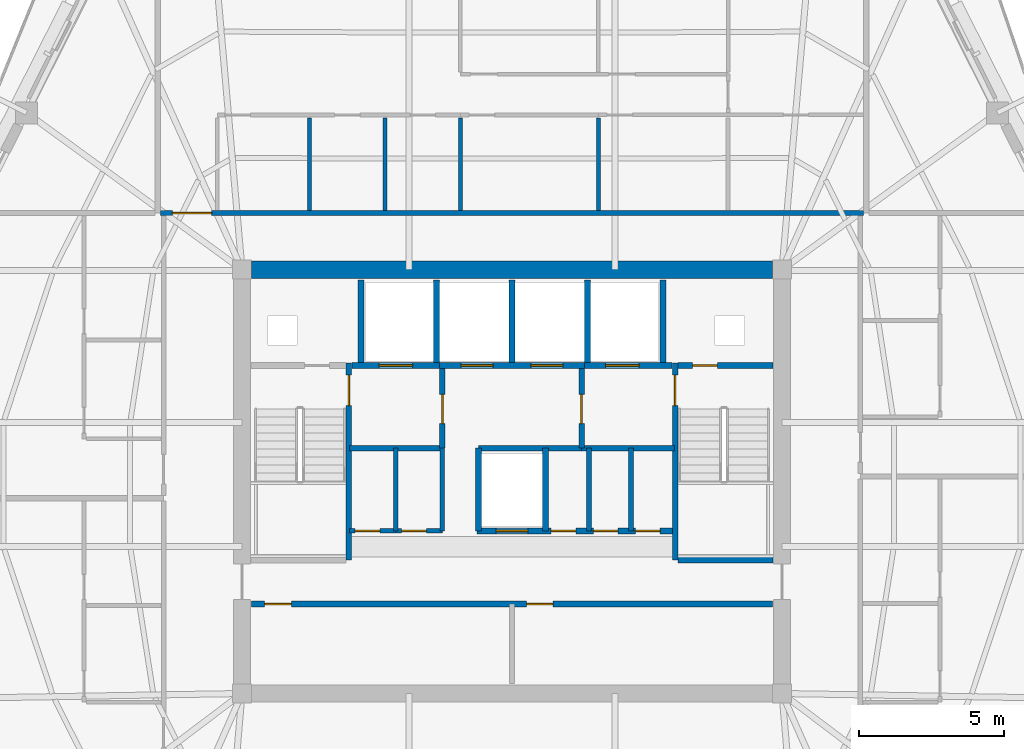
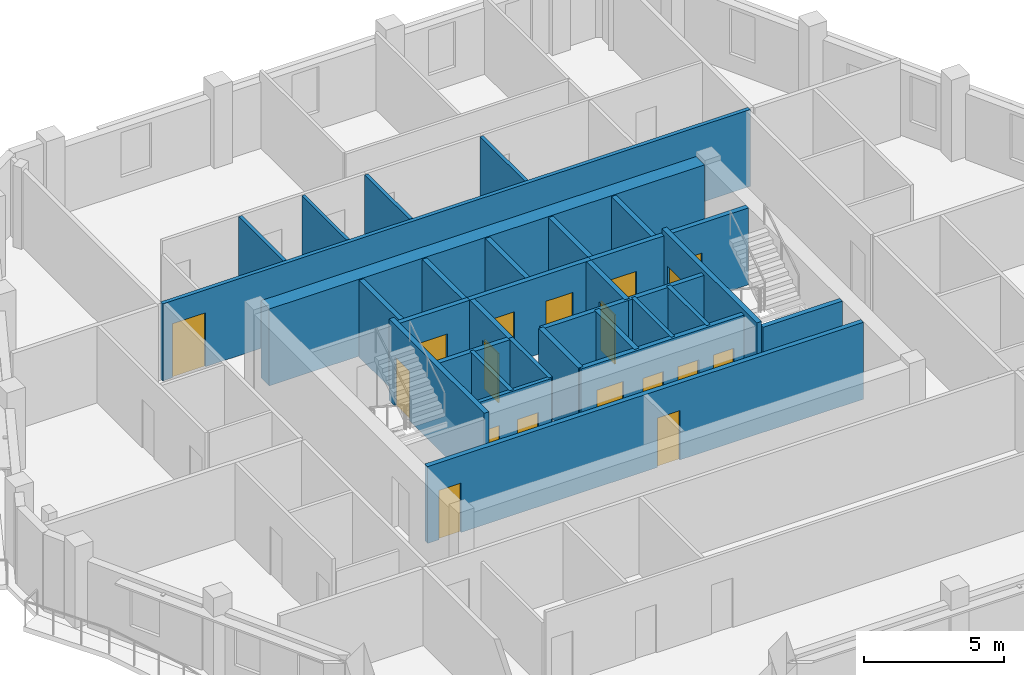
# One storey, part 5 of 11: 32 walls, 18 doors, 18 openings.
"""IFC4 building model written with IfcOpenShell, lengths in metres."""

import ifcopenshell
import ifcopenshell.guid

model = None  # the IFC model being written
_history = None  # IfcOwnerHistory: only IFC2X3 demands one
_inside = {}  # id of a spatial element -> (the spatial element, [elements in it])
_under = {}  # id of a project, library or spatial element -> (it, [spatial elements below it])
_declared = {}  # id of a project -> (the project, [libraries it declares])
_typed = {}  # id of a type object -> (the type object, [elements of that type])
_made_of = {}  # id of a material, layer set ... -> (it, [elements and type objects made of it])


def new_model(schema):
    """Start an empty IFC model of exactly this schema.

    Asked for "IFC4X3", IfcOpenShell would pick the latest addendum, in which some entities
    have other attributes; the version numbers below select the first issue.
    IFC2X3 requires an IfcOwnerHistory on every rooted entity: one is made here for all.
    """
    global model, _history
    if schema == "IFC4X3":
        model = ifcopenshell.file(schema_version=(4, 3, 0, 0))
    else:
        model = ifcopenshell.file(schema=schema)
    _inside.clear()
    _under.clear()
    _declared.clear()
    _typed.clear()
    _made_of.clear()
    _history = None
    if model.schema == "IFC2X3":
        org = make("IfcOrganization", Name="unknown")
        user = make(
            "IfcPersonAndOrganization",
            ThePerson=make("IfcPerson", FamilyName="unknown"),
            TheOrganization=org,
        )
        app = make(
            "IfcApplication",
            ApplicationDeveloper=org,
            Version="unknown",
            ApplicationFullName="unknown",
            ApplicationIdentifier="unknown",
        )
        _history = make(
            "IfcOwnerHistory",
            OwningUser=user,
            OwningApplication=app,
            ChangeAction="ADDED",
            CreationDate=0,
        )
    return model


def make(cls, **values):
    """One entity of the class cls with the attributes given. An attribute that is None is left unset."""
    return model.create_entity(
        cls, **{name: value for name, value in values.items() if value is not None}
    )


def rooted(cls, **values):
    """An entity with a GlobalId (a new one), such as an element, a storey or a relation."""
    return make(cls, GlobalId=ifcopenshell.guid.new(), OwnerHistory=_history, **values)


def si_unit(unit_type, name, prefix=None):
    """IfcSIUnit, for example si_unit("LENGTHUNIT", "METRE", prefix="MILLI")."""
    return make("IfcSIUnit", UnitType=unit_type, Prefix=prefix, Name=name)


def assignment(units):
    """IfcUnitAssignment: the units of a project."""
    return None if units is None else make("IfcUnitAssignment", Units=units)


def point(xyz):
    """IfcCartesianPoint."""
    return None if xyz is None else make("IfcCartesianPoint", Coordinates=xyz)


def direction(xyz):
    """IfcDirection."""
    return None if xyz is None else make("IfcDirection", DirectionRatios=xyz)


def frame(location, z_axis=None, x_axis=None):
    """IfcAxis2Placement3D, a coordinate frame: its origin and axes. An axis left out is left unset."""
    return make(
        "IfcAxis2Placement3D",
        Location=point(location),
        Axis=direction(z_axis),
        RefDirection=direction(x_axis),
    )


def frame_2d(location, x_axis=None):
    """IfcAxis2Placement2D, a coordinate frame in the plane: its origin and x axis."""
    return make(
        "IfcAxis2Placement2D", Location=point(location), RefDirection=direction(x_axis)
    )


def origin():
    """The frame at (0, 0, 0) with its axes left unset."""
    return frame((0.0, 0.0, 0.0))


def place(relative_to, where):
    """IfcLocalPlacement: puts the frame where relative to a parent placement (None: the world)."""
    return make(
        "IfcLocalPlacement", PlacementRelTo=relative_to, RelativePlacement=where
    )


def context(
    kind, dimensions, precision=None, world=None, true_north=None, identifier=None
):
    """IfcGeometricRepresentationContext, for example the 3D "Model" context."""
    return make(
        "IfcGeometricRepresentationContext",
        ContextIdentifier=identifier,
        ContextType=kind,
        CoordinateSpaceDimension=dimensions,
        Precision=precision,
        WorldCoordinateSystem=world,
        TrueNorth=true_north,
    )


def subcontext(parent, identifier, kind, view, scale=None):
    """IfcGeometricRepresentationSubContext, for example "Body" below "Model"."""
    return make(
        "IfcGeometricRepresentationSubContext",
        ContextIdentifier=identifier,
        ContextType=kind,
        ParentContext=parent,
        TargetScale=scale,
        TargetView=view,
    )


def project(units=None, contexts=None):
    """IfcProject with its units and contexts."""
    return rooted(
        "IfcProject",
        Name="project",
        RepresentationContexts=contexts,
        UnitsInContext=assignment(units),
    )


def spatial(cls, under=None, at=None, **own):
    """A site, building, storey or space (cls), placed at a placement, below another one or the project."""
    s = rooted(cls, ObjectPlacement=at, **own)
    if under is not None:
        _under.setdefault(under.id(), (under, []))[1].append(s)
    return s


def profile(cls, at=None, kind="AREA", **sizes):
    """A parametric profile (cls). Its sizes go by their IFC names, for example OverallWidth=200.0."""
    return make(cls, ProfileType=kind, Position=at, **sizes)


def rectangle(**sizes):
    """IfcRectangleProfileDef."""
    return profile("IfcRectangleProfileDef", **sizes)


def extrude(swept, where, along, depth):
    """IfcExtrudedAreaSolid: the profile swept, set in the frame where, extruded along a direction by depth."""
    return make(
        "IfcExtrudedAreaSolid",
        SweptArea=swept,
        Position=where,
        ExtrudedDirection=direction(along),
        Depth=depth,
    )


def shape(context_of_items, identifier, shape_type, items):
    """IfcShapeRepresentation: the items that make up one representation, for example the "Body"."""
    return make(
        "IfcShapeRepresentation",
        ContextOfItems=context_of_items,
        RepresentationIdentifier=identifier,
        RepresentationType=shape_type,
        Items=items,
    )


def material(Name=None, Category=None):
    """IfcMaterial."""
    return make("IfcMaterial", Name=Name, Category=Category)


def layer(
    of_material, thickness, ventilated=None, Name=None, Category=None, Priority=None
):
    """IfcMaterialLayer: one layer of a wall or slab, of a material (None: an air gap)."""
    return make(
        "IfcMaterialLayer",
        Material=of_material,
        LayerThickness=thickness,
        IsVentilated=ventilated,
        Name=Name,
        Category=Category,
        Priority=Priority,
    )


def layer_set(layers, Name=None):
    """IfcMaterialLayerSet."""
    return make("IfcMaterialLayerSet", MaterialLayers=layers, LayerSetName=Name)


def made_of(thing, what):
    """Note that an element or type object is made of a material, layer set ...; save() writes the relation."""
    if what is not None:
        _made_of.setdefault(what.id(), (what, []))[1].append(thing)
    return thing


def type_object(cls, material=None, **own):
    """A type object (cls), such as IfcWallType, which elements share."""
    return made_of(rooted(cls, **own), material)


def element(
    cls,
    number,
    at=None,
    inside=None,
    cuts=None,
    type_object=None,
    material=None,
    context=None,
    identifier="Body",
    shape_type=None,
    held_by="IfcProductDefinitionShape",
    body=None,
    shapes=None,
    **own,
):
    """One element of the class cls, such as IfcWall. Its Tag is "e" and its number.

    at: its placement. inside: the storey or other place that contains it. cuts: it is an
    opening in that element (IfcRelVoidsElement). A single representation is given by context,
    identifier, shape_type and body (its items); several are given by shapes. held_by: the class
    of the entity that holds the representations. save() writes the other relations.
    """
    e = rooted(cls, Tag="e%d" % number, ObjectPlacement=at, **own)
    if body is not None:
        shapes = [shape(context, identifier, shape_type, body)]
    if shapes is not None:
        e.Representation = make(held_by, Representations=shapes)
    if inside is not None:
        _inside.setdefault(inside.id(), (inside, []))[1].append(e)
    if cuts is not None:
        rooted(
            "IfcRelVoidsElement", RelatingBuildingElement=cuts, RelatedOpeningElement=e
        )
    if type_object is not None:
        _typed.setdefault(type_object.id(), (type_object, []))[1].append(e)
    return made_of(e, material)


def fill(opening, filler):
    """IfcRelFillsElement: the door or window that sits in an opening."""
    return rooted(
        "IfcRelFillsElement",
        RelatingOpeningElement=opening,
        RelatedBuildingElement=filler,
    )


def aggregate(whole, parts):
    """IfcRelAggregates: a whole, such as a stair, and the parts it consists of."""
    return rooted("IfcRelAggregates", RelatingObject=whole, RelatedObjects=parts)


def save(model, path):
    """Write the relations noted so far, then the file.

    IfcRelAggregates (storeys below a building ...), IfcRelContainedInSpatialStructure (elements
    in a storey), IfcRelDefinesByType, IfcRelAssociatesMaterial and IfcRelDeclares: one each for
    every whole, place, type object, material and project.
    """
    for whole, parts in _under.values():
        aggregate(whole, parts)
    for where, things in _inside.values():
        rooted(
            "IfcRelContainedInSpatialStructure",
            RelatedElements=things,
            RelatingStructure=where,
        )
    for kind, things in _typed.values():
        rooted("IfcRelDefinesByType", RelatedObjects=things, RelatingType=kind)
    for what, things in _made_of.values():
        rooted("IfcRelAssociatesMaterial", RelatedObjects=things, RelatingMaterial=what)
    for by, libraries in _declared.values():
        rooted("IfcRelDeclares", RelatingContext=by, RelatedDefinitions=libraries)
    model.write(path)


model = new_model("IFC4")

# Units and contexts
model_context = context("Model", 3, precision=1e-05, world=origin(), true_north=direction((0.0, 1.0)))
body_context = subcontext(model_context, "Body", "Model", "MODEL_VIEW")
ifc_project = project(units=[si_unit("LENGTHUNIT", "METRE"), si_unit("AREAUNIT", "SQUARE_METRE"), si_unit("VOLUMEUNIT", "CUBIC_METRE"), si_unit("PLANEANGLEUNIT", "RADIAN"), si_unit("MASSUNIT", "GRAM", prefix="KILO")], contexts=[model_context])

# Site, building, storey
site_placement = place(None, origin())
site = spatial("IfcSite", under=ifc_project, at=site_placement, CompositionType="ELEMENT")
building_placement = place(site_placement, origin())
building = spatial("IfcBuilding", under=site, at=building_placement, Name="Cinnabar Lancet Tower", CompositionType="ELEMENT")
storey_placement = place(building_placement, frame((0.0, 0.0, 214.5)))
storey = spatial("IfcBuildingStorey", under=building, at=storey_placement, Name="L57", CompositionType="ELEMENT", Elevation=214.5)

# Wall, openings, doors
ifc_material_1 = material(Name="Acoustic twin-stud gypsum partition", Category="gypsum")
ifc_layer_1 = layer(ifc_material_1, 0.159912109375)
ifc_layer_set_1 = layer_set([ifc_layer_1], Name="Acoustic twin-stud gypsum partition")
wall_type_1 = type_object("IfcWallType", Name="ARC-WL-CORR-160", PredefinedType="PARTITIONING", material=ifc_layer_set_1)
wall_1_placement = place(storey_placement, frame((26.800048828125, 24.199951171875, 0.0), z_axis=(0.0, 0.0, 1.0), x_axis=(1.0, 0.0, 0.0)))
wall_1 = element("IfcWall", 1, at=wall_1_placement, inside=storey, type_object=wall_type_1, Name="CW-REC5S-L57", PredefinedType="PARTITIONING", context=body_context, shape_type="SweptSolid", body=[
    extrude(rectangle(XDim=3.199951171875, YDim=0.159912109375, at=frame_2d((1.60009765625, 0.0))), origin(), (0.0, 0.0, 1.0), 3.35009765625),
])
opening_1_placement = place(wall_1_placement, frame((0.199951171875, 0.0, 0.0)))
opening_1 = element("IfcOpeningElement", 2, at=opening_1_placement, cuts=wall_1, Name="Opening PD-02", PredefinedType="OPENING", context=body_context, shape_type="SweptSolid", body=[
    extrude(rectangle(XDim=0.85009765625, YDim=2.050048828125, at=frame_2d((0.425048828125, 1.02490234375))), frame((0.0, 0.08984375, 0.0), z_axis=(0.0, -1.0, 0.0), x_axis=(1.0, 0.0, 0.0)), (0.0, 0.0, 1.0), 0.179931640625),
])
opening_2_placement = place(wall_1_placement, frame((1.800048828125, 0.0, 0.0)))
opening_2 = element("IfcOpeningElement", 3, at=opening_2_placement, cuts=wall_1, Name="Opening PD-02", PredefinedType="OPENING", context=body_context, shape_type="SweptSolid", body=[
    extrude(rectangle(XDim=0.85009765625, YDim=2.050048828125, at=frame_2d((0.425048828125, 1.02490234375))), frame((0.0, 0.08984375, 0.0), z_axis=(0.0, -1.0, 0.0), x_axis=(1.0, 0.0, 0.0)), (0.0, 0.0, 1.0), 0.179931640625),
])
ifc_material_2 = material(Name="Fire-rated steel riser access door", Category="steel")
door_type_1 = type_object("IfcDoorType", Name="ARC-DR-RISER", OperationType="NOTDEFINED", PredefinedType="DOOR", material=ifc_material_2)
door_1_placement = place(opening_1_placement, origin())
door_1 = element("IfcDoor", 4, at=door_1_placement, inside=storey, type_object=door_type_1, Name="DR-L57-REC5A", OperationType="SINGLE_SWING_LEFT", OverallHeight=2.050048828125, OverallWidth=0.85009765625, PredefinedType="DOOR", context=body_context, shape_type="SweptSolid", body=[
    extrude(rectangle(XDim=0.85009765625, YDim=2.050048828125, at=frame_2d((0.425048828125, 1.02490234375))), frame((0.0, 0.02490234375, 0.0), z_axis=(0.0, -1.0, 0.0), x_axis=(1.0, 0.0, 0.0)), (0.0, 0.0, 1.0), 0.050048828125),
])
fill(opening_1, door_1)
door_2_placement = place(opening_2_placement, origin())
door_2 = element("IfcDoor", 5, at=door_2_placement, inside=storey, type_object=door_type_1, Name="DR-L57-REC5B", OperationType="SINGLE_SWING_RIGHT", OverallHeight=2.050048828125, OverallWidth=0.85009765625, PredefinedType="DOOR", context=body_context, shape_type="SweptSolid", body=[
    extrude(rectangle(XDim=0.85009765625, YDim=2.050048828125, at=frame_2d((0.425048828125, 1.02490234375))), frame((0.0, 0.02490234375, 0.0), z_axis=(0.0, -1.0, 0.0), x_axis=(1.0, 0.0, 0.0)), (0.0, 0.0, 1.0), 0.050048828125),
])
fill(opening_2, door_2)

# Walls
for number, where, z_axis, x_axis, name in (
    (6, (30.0, 24.199951171875, 0.0), (0.0, 0.0, 1.0), (0.0, 1.0, 0.0), "CW-REC5E-L57"),
    (7, (28.39990234375, 24.199951171875, 0.0), (0.0, 0.0, 1.0), (0.0, 1.0, 0.0), "CW-REC5D0-L57"),
    (8, (35.050048828125, 24.199951171875, 0.0), (0.0, 0.0, 1.0), (0.0, 1.0, 0.0), "CW-REC6D1-L57"),
    (9, (36.5, 24.199951171875, 0.0), (0.0, 0.0, 1.0), (0.0, 1.0, 0.0), "CW-REC6D2-L57"),
):
    element("IfcWall", number, at=place(storey_placement, frame(where, z_axis=z_axis, x_axis=x_axis)), inside=storey, type_object=wall_type_1, Name=name, PredefinedType="PARTITIONING", context=body_context, shape_type="SweptSolid", body=[
        extrude(rectangle(XDim=2.85009765625, YDim=0.159912109375, at=frame_2d((1.425048828125, 0.0))), origin(), (0.0, 0.0, 1.0), 3.35009765625),
    ])

# Wall, opening, door
wall_2_placement = place(storey_placement, frame((20.294921875, 35.14990234375, 0.0), z_axis=(0.0, 0.0, 1.0), x_axis=(1.0, 0.0, 0.0)))
wall_2 = element("IfcWall", 10, at=wall_2_placement, inside=storey, type_object=wall_type_1, Name="L57 Unit N01 Corridor Wall", PredefinedType="PARTITIONING", context=body_context, shape_type="SweptSolid", body=[
    extrude(rectangle(XDim=24.2099609375, YDim=0.159912109375, at=frame_2d((12.10498046875, 0.0))), origin(), (0.0, 0.0, 1.0), 3.35009765625),
])
opening_3_placement = place(wall_2_placement, frame((0.405029296875, 0.0, 0.0)))
opening_3 = element("IfcOpeningElement", 11, at=opening_3_placement, cuts=wall_2, Name="Opening UD-02", PredefinedType="OPENING", context=body_context, shape_type="SweptSolid", body=[
    extrude(rectangle(XDim=1.35009765625, YDim=2.35009765625, at=frame_2d((0.675048828125, 1.175048828125))), frame((0.0, 0.08984375, 0.0), z_axis=(0.0, -1.0, 0.0), x_axis=(1.0, 0.0, 0.0)), (0.0, 0.0, 1.0), 0.179931640625),
])
ifc_material_3 = material(Name="Double-leaf solid timber penthouse entrance door", Category="wood")
door_type_2 = type_object("IfcDoorType", Name="ARC-DR-UNIT-PH", OperationType="NOTDEFINED", PredefinedType="DOOR", material=ifc_material_3)
door_3_placement = place(opening_3_placement, origin())
door_3 = element("IfcDoor", 12, at=door_3_placement, inside=storey, type_object=door_type_2, Name="DR-L57-N01-ENT", OperationType="SINGLE_SWING_RIGHT", OverallHeight=2.35009765625, OverallWidth=1.35009765625, PredefinedType="DOOR", context=body_context, shape_type="SweptSolid", body=[
    extrude(rectangle(XDim=1.35009765625, YDim=2.35009765625, at=frame_2d((0.675048828125, 1.175048828125))), frame((0.0, 0.02490234375, 0.0), z_axis=(0.0, -1.0, 0.0), x_axis=(1.0, 0.0, 0.0)), (0.0, 0.0, 1.0), 0.050048828125),
])
fill(opening_3, door_3)

# Wall
ifc_material_4 = material(Name="Autoclaved aerated concrete blockwork", Category="masonry")
ifc_layer_2 = layer(ifc_material_4, 0.199951171875)
ifc_layer_set_2 = layer_set([ifc_layer_2], Name="Autoclaved aerated concrete blockwork")
wall_type_2 = type_object("IfcWallType", Name="ARC-WL-SHAFT-200", PredefinedType="PLUMBINGWALL", material=ifc_layer_set_2)
wall_3_placement = place(storey_placement, frame((38.125, 23.199951171875, 0.0), z_axis=(0.0, 0.0, 1.0), x_axis=(1.0, 0.0, 0.0)))
element("IfcWall", 13, at=wall_3_placement, inside=storey, type_object=wall_type_2, Name="CW-ST2S-L57", PredefinedType="PLUMBINGWALL", context=body_context, shape_type="SweptSolid", body=[
    extrude(rectangle(XDim=3.27001953125, YDim=0.199951171875, at=frame_2d((1.635009765625, 0.0))), origin(), (0.0, 0.0, 1.0), 3.35009765625),
])

# Wall, opening, door
wall_4_placement = place(storey_placement, frame((26.885009765625, 29.89990234375, 0.0), z_axis=(0.0, 0.0, 1.0), x_axis=(1.0, 0.0, 0.0)))
wall_4 = element("IfcWall", 14, at=wall_4_placement, inside=storey, type_object=wall_type_2, Name="CW-FL1-L57", PredefinedType="PLUMBINGWALL", context=body_context, shape_type="SweptSolid", body=[
    extrude(rectangle(XDim=3.014892578125, YDim=0.199951171875, at=frame_2d((1.50732421875, 0.0))), origin(), (0.0, 0.0, 1.0), 3.35009765625),
])
opening_4_placement = place(wall_4_placement, frame((0.93994140625, 0.0, 0.0)))
opening_4 = element("IfcOpeningElement", 15, at=opening_4_placement, cuts=wall_4, Name="Opening LD-02", PredefinedType="OPENING", context=body_context, shape_type="SweptSolid", body=[
    extrude(rectangle(XDim=1.14990234375, YDim=2.199951171875, at=frame_2d((0.574951171875, 1.10009765625))), frame((0.0, 0.10986328125, 0.0), z_axis=(0.0, -1.0, 0.0), x_axis=(1.0, 0.0, 0.0)), (0.0, 0.0, 1.0), 0.219970703125),
])
ifc_material_5 = material(Name="Fire-rated stainless steel firefighting lift landing door", Category="steel")
door_type_3 = type_object("IfcDoorType", Name="ARC-DR-LD-FIRE", OperationType="NOTDEFINED", PredefinedType="DOOR", material=ifc_material_5)
door_4_placement = place(opening_4_placement, origin())
door_4 = element("IfcDoor", 16, at=door_4_placement, inside=storey, type_object=door_type_3, Name="L57 Firefighting Lift FL-1 Landing Door", OperationType="DOUBLE_DOOR_SLIDING", OverallHeight=2.199951171875, OverallWidth=1.14990234375, PredefinedType="DOOR", context=body_context, shape_type="SweptSolid", body=[
    extrude(rectangle(XDim=1.14990234375, YDim=2.199951171875, at=frame_2d((0.574951171875, 1.10009765625))), frame((0.0, 0.02490234375, 0.0), z_axis=(0.0, -1.0, 0.0), x_axis=(1.0, 0.0, 0.0)), (0.0, 0.0, 1.0), 0.050048828125),
])
fill(opening_4, door_4)

# Wall, openings, doors
wall_5_placement = place(storey_placement, frame((29.89990234375, 29.89990234375, 0.0), z_axis=(0.0, 0.0, 1.0), x_axis=(1.0, 0.0, 0.0)))
wall_5 = element("IfcWall", 17, at=wall_5_placement, inside=storey, type_object=wall_type_2, Name="CW-PL78-L57", PredefinedType="PLUMBINGWALL", context=body_context, shape_type="SweptSolid", body=[
    extrude(rectangle(XDim=5.0, YDim=0.199951171875, at=frame_2d((2.5, 0.0))), origin(), (0.0, 0.0, 1.0), 3.35009765625),
])
opening_5_placement = place(wall_5_placement, frame((0.75, 0.0, 0.0)))
opening_5 = element("IfcOpeningElement", 18, at=opening_5_placement, cuts=wall_5, Name="Opening LD-01", PredefinedType="OPENING", context=body_context, shape_type="SweptSolid", body=[
    extrude(rectangle(XDim=1.10009765625, YDim=2.199951171875, at=frame_2d((0.550048828125, 1.10009765625))), frame((0.0, 0.10986328125, 0.0), z_axis=(0.0, -1.0, 0.0), x_axis=(1.0, 0.0, 0.0)), (0.0, 0.0, 1.0), 0.219970703125),
])
opening_6_placement = place(wall_5_placement, frame((3.14990234375, 0.0, 0.0)))
opening_6 = element("IfcOpeningElement", 19, at=opening_6_placement, cuts=wall_5, Name="Opening LD-01", PredefinedType="OPENING", context=body_context, shape_type="SweptSolid", body=[
    extrude(rectangle(XDim=1.10009765625, YDim=2.199951171875, at=frame_2d((0.550048828125, 1.10009765625))), frame((0.0, 0.10986328125, 0.0), z_axis=(0.0, -1.0, 0.0), x_axis=(1.0, 0.0, 0.0)), (0.0, 0.0, 1.0), 0.219970703125),
])
ifc_material_6 = material(Name="Brushed stainless steel sliding lift door", Category="steel")
door_type_4 = type_object("IfcDoorType", Name="ARC-DR-LD-PASS", OperationType="NOTDEFINED", PredefinedType="DOOR", material=ifc_material_6)
door_5_placement = place(opening_5_placement, origin())
door_5 = element("IfcDoor", 20, at=door_5_placement, inside=storey, type_object=door_type_4, Name="L57 Lift PL-7 Landing Door", OperationType="DOUBLE_DOOR_SLIDING", OverallHeight=2.199951171875, OverallWidth=1.10009765625, PredefinedType="DOOR", context=body_context, shape_type="SweptSolid", body=[
    extrude(rectangle(XDim=1.10009765625, YDim=2.199951171875, at=frame_2d((0.550048828125, 1.10009765625))), frame((0.0, 0.02490234375, 0.0), z_axis=(0.0, -1.0, 0.0), x_axis=(1.0, 0.0, 0.0)), (0.0, 0.0, 1.0), 0.050048828125),
])
fill(opening_5, door_5)
door_6_placement = place(opening_6_placement, origin())
door_6 = element("IfcDoor", 21, at=door_6_placement, inside=storey, type_object=door_type_4, Name="L57 Lift PL-8 Landing Door", OperationType="DOUBLE_DOOR_SLIDING", OverallHeight=2.199951171875, OverallWidth=1.10009765625, PredefinedType="DOOR", context=body_context, shape_type="SweptSolid", body=[
    extrude(rectangle(XDim=1.10009765625, YDim=2.199951171875, at=frame_2d((0.550048828125, 1.10009765625))), frame((0.0, 0.02490234375, 0.0), z_axis=(0.0, -1.0, 0.0), x_axis=(1.0, 0.0, 0.0)), (0.0, 0.0, 1.0), 0.050048828125),
])
fill(opening_6, door_6)

# Wall, opening, door
wall_6_placement = place(storey_placement, frame((34.89990234375, 29.89990234375, 0.0), z_axis=(0.0, 0.0, 1.0), x_axis=(1.0, 0.0, 0.0)))
wall_6 = element("IfcWall", 22, at=wall_6_placement, inside=storey, type_object=wall_type_2, Name="CW-FL2-L57", PredefinedType="PLUMBINGWALL", context=body_context, shape_type="SweptSolid", body=[
    extrude(rectangle(XDim=3.01513671875, YDim=0.199951171875, at=frame_2d((1.507568359375, 0.0))), origin(), (0.0, 0.0, 1.0), 3.35009765625),
])
opening_7_placement = place(wall_6_placement, frame((0.72509765625, 0.0, 0.0)))
opening_7 = element("IfcOpeningElement", 23, at=opening_7_placement, cuts=wall_6, Name="Opening LD-02", PredefinedType="OPENING", context=body_context, shape_type="SweptSolid", body=[
    extrude(rectangle(XDim=1.14990234375, YDim=2.199951171875, at=frame_2d((0.574951171875, 1.10009765625))), frame((0.0, 0.10986328125, 0.0), z_axis=(0.0, -1.0, 0.0), x_axis=(1.0, 0.0, 0.0)), (0.0, 0.0, 1.0), 0.219970703125),
])
door_7_placement = place(opening_7_placement, origin())
door_7 = element("IfcDoor", 24, at=door_7_placement, inside=storey, type_object=door_type_3, Name="L57 Firefighting Lift FL-2 Landing Door", OperationType="DOUBLE_DOOR_SLIDING", OverallHeight=2.199951171875, OverallWidth=1.14990234375, PredefinedType="DOOR", context=body_context, shape_type="SweptSolid", body=[
    extrude(rectangle(XDim=1.14990234375, YDim=2.199951171875, at=frame_2d((0.574951171875, 1.10009765625))), frame((0.0, 0.02490234375, 0.0), z_axis=(0.0, -1.0, 0.0), x_axis=(1.0, 0.0, 0.0)), (0.0, 0.0, 1.0), 0.050048828125),
])
fill(opening_7, door_7)

wall_7_placement = place(storey_placement, frame((38.125, 29.89990234375, 0.0), z_axis=(0.0, 0.0, 1.0), x_axis=(1.0, 0.0, 0.0)))
wall_7 = element("IfcWall", 25, at=wall_7_placement, inside=storey, type_object=wall_type_2, Name="CW-NSH-E-L57", PredefinedType="PLUMBINGWALL", context=body_context, shape_type="SweptSolid", body=[
    extrude(rectangle(XDim=3.27001953125, YDim=0.199951171875, at=frame_2d((1.635009765625, 0.0))), origin(), (0.0, 0.0, 1.0), 3.35009765625),
])
opening_8_placement = place(wall_7_placement, frame((0.5, 0.0, 0.0)))
opening_8 = element("IfcOpeningElement", 26, at=opening_8_placement, cuts=wall_7, Name="Opening PD-02", PredefinedType="OPENING", context=body_context, shape_type="SweptSolid", body=[
    extrude(rectangle(XDim=0.85009765625, YDim=2.050048828125, at=frame_2d((0.425048828125, 1.02490234375))), frame((0.0, 0.10986328125, 0.0), z_axis=(0.0, -1.0, 0.0), x_axis=(1.0, 0.0, 0.0)), (0.0, 0.0, 1.0), 0.219970703125),
])
door_8_placement = place(opening_8_placement, origin())
door_8 = element("IfcDoor", 27, at=door_8_placement, inside=storey, type_object=door_type_1, Name="L57 East Riser Access Door", OperationType="SINGLE_SWING_RIGHT", OverallHeight=2.050048828125, OverallWidth=0.85009765625, PredefinedType="DOOR", context=body_context, shape_type="SweptSolid", body=[
    extrude(rectangle(XDim=0.85009765625, YDim=2.050048828125, at=frame_2d((0.425048828125, 1.02490234375))), frame((0.0, 0.02490234375, 0.0), z_axis=(0.0, -1.0, 0.0), x_axis=(1.0, 0.0, 0.0)), (0.0, 0.0, 1.0), 0.050048828125),
])
fill(opening_8, door_8)

# Walls
for number, where, z_axis, x_axis, name in (
    (28, (27.199951171875, 30.0, 0.0), (0.0, 0.0, 1.0), (0.0, 1.0, 0.0), "CW-NSH-D1-L57"),
    (29, (29.800048828125, 30.0, 0.0), (0.0, 0.0, 1.0), (0.0, 1.0, 0.0), "CW-NSH-D2-L57"),
    (30, (32.39990234375, 30.0, 0.0), (0.0, 0.0, 1.0), (0.0, 1.0, 0.0), "CW-NSH-D3-L57"),
    (31, (35.0, 30.0, 0.0), (0.0, 0.0, 1.0), (0.0, 1.0, 0.0), "CW-NSH-D4-L57"),
    (32, (37.60009765625, 30.0, 0.0), (0.0, 0.0, 1.0), (0.0, 1.0, 0.0), "CW-NSH-D5-L57"),
):
    element("IfcWall", number, at=place(storey_placement, frame(where, z_axis=z_axis, x_axis=x_axis)), inside=storey, type_object=wall_type_2, Name=name, PredefinedType="PLUMBINGWALL", context=body_context, shape_type="SweptSolid", body=[
        extrude(rectangle(XDim=2.85009765625, YDim=0.199951171875, at=frame_2d((1.425048828125, 0.0))), origin(), (0.0, 0.0, 1.0), 3.35009765625),
    ])

# Wall, opening, door
wall_8_placement = place(storey_placement, frame((30.0, 27.050048828125, 0.0), z_axis=(0.0, 0.0, 1.0), x_axis=(0.0, 1.0, 0.0)))
wall_8 = element("IfcWall", 33, at=wall_8_placement, inside=storey, type_object=wall_type_2, Name="CW-FF1E-L57", PredefinedType="PLUMBINGWALL", context=body_context, shape_type="SweptSolid", body=[
    extrude(rectangle(XDim=2.75, YDim=0.199951171875, at=frame_2d((1.375, 0.0))), origin(), (0.0, 0.0, 1.0), 3.35009765625),
])
opening_9_placement = place(wall_8_placement, frame((0.85009765625, 0.0, 0.0)))
opening_9 = element("IfcOpeningElement", 34, at=opening_9_placement, cuts=wall_8, Name="Opening FD-01", PredefinedType="OPENING", context=body_context, shape_type="SweptSolid", body=[
    extrude(rectangle(XDim=1.0, YDim=2.14990234375, at=frame_2d((0.5, 1.074951171875))), frame((0.0, 0.10986328125, 0.0), z_axis=(0.0, -1.0, 0.0), x_axis=(1.0, 0.0, 0.0)), (0.0, 0.0, 1.0), 0.219970703125),
])
ifc_material_7 = material(Name="Fire-rated timber-core lobby door", Category="wood")
door_type_5 = type_object("IfcDoorType", Name="ARC-DR-FFAL", OperationType="NOTDEFINED", PredefinedType="DOOR", material=ifc_material_7)
door_9_placement = place(opening_9_placement, origin())
door_9 = element("IfcDoor", 35, at=door_9_placement, inside=storey, type_object=door_type_5, Name="L57 FFAL-1 Lobby Fire Door", OperationType="SINGLE_SWING_RIGHT", OverallHeight=2.14990234375, OverallWidth=1.0, PredefinedType="DOOR", context=body_context, shape_type="SweptSolid", body=[
    extrude(rectangle(XDim=1.0, YDim=2.14990234375, at=frame_2d((0.5, 1.074951171875))), frame((0.0, 0.02490234375, 0.0), z_axis=(0.0, -1.0, 0.0), x_axis=(1.0, 0.0, 0.0)), (0.0, 0.0, 1.0), 0.050048828125),
])
fill(opening_9, door_9)

# Wall
wall_9_placement = place(storey_placement, frame((26.800048828125, 27.050048828125, 0.0), z_axis=(0.0, 0.0, 1.0), x_axis=(1.0, 0.0, 0.0)))
element("IfcWall", 36, at=wall_9_placement, inside=storey, type_object=wall_type_2, Name="CW-FF1S-L57", PredefinedType="PLUMBINGWALL", context=body_context, shape_type="SweptSolid", body=[
    extrude(rectangle(XDim=3.199951171875, YDim=0.199951171875, at=frame_2d((1.60009765625, 0.0))), origin(), (0.0, 0.0, 1.0), 3.35009765625),
])

# Wall, opening, door
wall_10_placement = place(storey_placement, frame((34.800048828125, 27.050048828125, 0.0), z_axis=(0.0, 0.0, 1.0), x_axis=(0.0, 1.0, 0.0)))
wall_10 = element("IfcWall", 37, at=wall_10_placement, inside=storey, type_object=wall_type_2, Name="CW-FF2W-L57", PredefinedType="PLUMBINGWALL", context=body_context, shape_type="SweptSolid", body=[
    extrude(rectangle(XDim=2.75, YDim=0.199951171875, at=frame_2d((1.375, 0.0))), origin(), (0.0, 0.0, 1.0), 3.35009765625),
])
opening_10_placement = place(wall_10_placement, frame((0.85009765625, 0.0, 0.0)))
opening_10 = element("IfcOpeningElement", 38, at=opening_10_placement, cuts=wall_10, Name="Opening FD-01", PredefinedType="OPENING", context=body_context, shape_type="SweptSolid", body=[
    extrude(rectangle(XDim=1.0, YDim=2.14990234375, at=frame_2d((0.5, 1.074951171875))), frame((0.0, 0.10986328125, 0.0), z_axis=(0.0, -1.0, 0.0), x_axis=(1.0, 0.0, 0.0)), (0.0, 0.0, 1.0), 0.219970703125),
])
door_10_placement = place(opening_10_placement, origin())
door_10 = element("IfcDoor", 39, at=door_10_placement, inside=storey, type_object=door_type_5, Name="L57 FFAL-2 Lobby Fire Door", OperationType="SINGLE_SWING_LEFT", OverallHeight=2.14990234375, OverallWidth=1.0, PredefinedType="DOOR", context=body_context, shape_type="SweptSolid", body=[
    extrude(rectangle(XDim=1.0, YDim=2.14990234375, at=frame_2d((0.5, 1.074951171875))), frame((0.0, 0.02490234375, 0.0), z_axis=(0.0, -1.0, 0.0), x_axis=(1.0, 0.0, 0.0)), (0.0, 0.0, 1.0), 0.050048828125),
])
fill(opening_10, door_10)

# Wall
wall_11_placement = place(storey_placement, frame((34.800048828125, 27.050048828125, 0.0), z_axis=(0.0, 0.0, 1.0), x_axis=(1.0, 0.0, 0.0)))
element("IfcWall", 40, at=wall_11_placement, inside=storey, type_object=wall_type_2, Name="CW-FF2S-L57", PredefinedType="PLUMBINGWALL", context=body_context, shape_type="SweptSolid", body=[
    extrude(rectangle(XDim=3.199951171875, YDim=0.199951171875, at=frame_2d((1.60009765625, 0.0))), origin(), (0.0, 0.0, 1.0), 3.35009765625),
])

# Wall, openings, doors
wall_12_placement = place(storey_placement, frame((31.199951171875, 24.199951171875, 0.0), z_axis=(0.0, 0.0, 1.0), x_axis=(1.0, 0.0, 0.0)))
wall_12 = element("IfcWall", 41, at=wall_12_placement, inside=storey, type_object=wall_type_2, Name="CW-PL96S-L57", PredefinedType="PLUMBINGWALL", context=body_context, shape_type="SweptSolid", body=[
    extrude(rectangle(XDim=6.800048828125, YDim=0.199951171875, at=frame_2d((3.39990234375, 0.0))), origin(), (0.0, 0.0, 1.0), 3.35009765625),
])
opening_11_placement = place(wall_12_placement, frame((0.64990234375, 0.0, 0.0)))
opening_11 = element("IfcOpeningElement", 42, at=opening_11_placement, cuts=wall_12, Name="Opening LD-01", PredefinedType="OPENING", context=body_context, shape_type="SweptSolid", body=[
    extrude(rectangle(XDim=1.10009765625, YDim=2.199951171875, at=frame_2d((0.550048828125, 1.10009765625))), frame((0.0, 0.10986328125, 0.0), z_axis=(0.0, -1.0, 0.0), x_axis=(1.0, 0.0, 0.0)), (0.0, 0.0, 1.0), 0.219970703125),
])
opening_12_placement = place(wall_12_placement, frame((2.550048828125, 0.0, 0.0)))
opening_12 = element("IfcOpeningElement", 43, at=opening_12_placement, cuts=wall_12, Name="Opening PD-02", PredefinedType="OPENING", context=body_context, shape_type="SweptSolid", body=[
    extrude(rectangle(XDim=0.85009765625, YDim=2.050048828125, at=frame_2d((0.425048828125, 1.02490234375))), frame((0.0, 0.10986328125, 0.0), z_axis=(0.0, -1.0, 0.0), x_axis=(1.0, 0.0, 0.0)), (0.0, 0.0, 1.0), 0.219970703125),
])
opening_13_placement = place(wall_12_placement, frame((4.0, 0.0, 0.0)))
opening_13 = element("IfcOpeningElement", 44, at=opening_13_placement, cuts=wall_12, Name="Opening PD-02", PredefinedType="OPENING", context=body_context, shape_type="SweptSolid", body=[
    extrude(rectangle(XDim=0.85009765625, YDim=2.050048828125, at=frame_2d((0.425048828125, 1.02490234375))), frame((0.0, 0.10986328125, 0.0), z_axis=(0.0, -1.0, 0.0), x_axis=(1.0, 0.0, 0.0)), (0.0, 0.0, 1.0), 0.219970703125),
])
opening_14_placement = place(wall_12_placement, frame((5.449951171875, 0.0, 0.0)))
opening_14 = element("IfcOpeningElement", 45, at=opening_14_placement, cuts=wall_12, Name="Opening PD-02", PredefinedType="OPENING", context=body_context, shape_type="SweptSolid", body=[
    extrude(rectangle(XDim=0.85009765625, YDim=2.050048828125, at=frame_2d((0.425048828125, 1.02490234375))), frame((0.0, 0.10986328125, 0.0), z_axis=(0.0, -1.0, 0.0), x_axis=(1.0, 0.0, 0.0)), (0.0, 0.0, 1.0), 0.219970703125),
])
door_11_placement = place(opening_11_placement, origin())
door_11 = element("IfcDoor", 46, at=door_11_placement, inside=storey, type_object=door_type_4, Name="L57 Lift PL-9 Landing Door", OperationType="DOUBLE_DOOR_SLIDING", OverallHeight=2.199951171875, OverallWidth=1.10009765625, PredefinedType="DOOR", context=body_context, shape_type="SweptSolid", body=[
    extrude(rectangle(XDim=1.10009765625, YDim=2.199951171875, at=frame_2d((0.550048828125, 1.10009765625))), frame((0.0, 0.02490234375, 0.0), z_axis=(0.0, -1.0, 0.0), x_axis=(1.0, 0.0, 0.0)), (0.0, 0.0, 1.0), 0.050048828125),
])
fill(opening_11, door_11)
door_12_placement = place(opening_12_placement, origin())
door_12 = element("IfcDoor", 47, at=door_12_placement, inside=storey, type_object=door_type_1, Name="DR-L57-REC6A", OperationType="SINGLE_SWING_LEFT", OverallHeight=2.050048828125, OverallWidth=0.85009765625, PredefinedType="DOOR", context=body_context, shape_type="SweptSolid", body=[
    extrude(rectangle(XDim=0.85009765625, YDim=2.050048828125, at=frame_2d((0.425048828125, 1.02490234375))), frame((0.0, 0.02490234375, 0.0), z_axis=(0.0, -1.0, 0.0), x_axis=(1.0, 0.0, 0.0)), (0.0, 0.0, 1.0), 0.050048828125),
])
fill(opening_12, door_12)
door_13_placement = place(opening_13_placement, origin())
door_13 = element("IfcDoor", 48, at=door_13_placement, inside=storey, type_object=door_type_1, Name="DR-L57-REC6B", OperationType="SINGLE_SWING_RIGHT", OverallHeight=2.050048828125, OverallWidth=0.85009765625, PredefinedType="DOOR", context=body_context, shape_type="SweptSolid", body=[
    extrude(rectangle(XDim=0.85009765625, YDim=2.050048828125, at=frame_2d((0.425048828125, 1.02490234375))), frame((0.0, 0.02490234375, 0.0), z_axis=(0.0, -1.0, 0.0), x_axis=(1.0, 0.0, 0.0)), (0.0, 0.0, 1.0), 0.050048828125),
])
fill(opening_13, door_13)
door_14_placement = place(opening_14_placement, origin())
door_14 = element("IfcDoor", 49, at=door_14_placement, inside=storey, type_object=door_type_1, Name="DR-L57-REC6C", OperationType="SINGLE_SWING_LEFT", OverallHeight=2.050048828125, OverallWidth=0.85009765625, PredefinedType="DOOR", context=body_context, shape_type="SweptSolid", body=[
    extrude(rectangle(XDim=0.85009765625, YDim=2.050048828125, at=frame_2d((0.425048828125, 1.02490234375))), frame((0.0, 0.02490234375, 0.0), z_axis=(0.0, -1.0, 0.0), x_axis=(1.0, 0.0, 0.0)), (0.0, 0.0, 1.0), 0.050048828125),
])
fill(opening_14, door_14)

# Walls
for number, where, z_axis, x_axis, name in (
    (50, (31.25, 24.199951171875, 0.0), (0.0, 0.0, 1.0), (0.0, 1.0, 0.0), "CW-PL9W-L57"),
    (51, (33.550048828125, 24.199951171875, 0.0), (0.0, 0.0, 1.0), (0.0, 1.0, 0.0), "CW-PL9E-L57"),
):
    element("IfcWall", number, at=place(storey_placement, frame(where, z_axis=z_axis, x_axis=x_axis)), inside=storey, type_object=wall_type_2, Name=name, PredefinedType="PLUMBINGWALL", context=body_context, shape_type="SweptSolid", body=[
        extrude(rectangle(XDim=2.85009765625, YDim=0.199951171875, at=frame_2d((1.425048828125, 0.0))), origin(), (0.0, 0.0, 1.0), 3.35009765625),
    ])
wall_13_placement = place(storey_placement, frame((31.25, 27.050048828125, 0.0), z_axis=(0.0, 0.0, 1.0), x_axis=(1.0, 0.0, 0.0)))
element("IfcWall", 52, at=wall_13_placement, inside=storey, type_object=wall_type_2, Name="CW-PL96N-L57", PredefinedType="PLUMBINGWALL", context=body_context, shape_type="SweptSolid", body=[
    extrude(rectangle(XDim=3.550048828125, YDim=0.199951171875, at=frame_2d((1.77490234375, 0.0))), origin(), (0.0, 0.0, 1.0), 3.35009765625),
])

# Wall, openings, doors
wall_14_placement = place(storey_placement, frame((23.419921875, 21.679931640625, 0.0), z_axis=(0.0, 0.0, 1.0), x_axis=(1.0, 0.0, 0.0)))
wall_14 = element("IfcWall", 53, at=wall_14_placement, inside=storey, type_object=wall_type_2, Name="CW-SBANDN-L57", PredefinedType="PLUMBINGWALL", context=body_context, shape_type="SweptSolid", body=[
    extrude(rectangle(XDim=17.9599609375, YDim=0.199951171875, at=frame_2d((8.97998046875, 0.0))), origin(), (0.0, 0.0, 1.0), 3.35009765625),
])
opening_15_placement = place(wall_14_placement, frame((0.4599609375, 0.0, 0.0)))
opening_15 = element("IfcOpeningElement", 54, at=opening_15_placement, cuts=wall_14, Name="Opening RD-01", PredefinedType="OPENING", context=body_context, shape_type="SweptSolid", body=[
    extrude(rectangle(XDim=0.919921875, YDim=2.14990234375, at=frame_2d((0.4599609375, 1.074951171875))), frame((0.0, 0.10986328125, 0.0), z_axis=(0.0, -1.0, 0.0), x_axis=(1.0, 0.0, 0.0)), (0.0, 0.0, 1.0), 0.219970703125),
])
opening_16_placement = place(wall_14_placement, frame((9.47998046875, 0.0, 0.0)))
opening_16 = element("IfcOpeningElement", 55, at=opening_16_placement, cuts=wall_14, Name="Opening RD-01", PredefinedType="OPENING", context=body_context, shape_type="SweptSolid", body=[
    extrude(rectangle(XDim=0.919921875, YDim=2.14990234375, at=frame_2d((0.4599609375, 1.074951171875))), frame((0.0, 0.10986328125, 0.0), z_axis=(0.0, -1.0, 0.0), x_axis=(1.0, 0.0, 0.0)), (0.0, 0.0, 1.0), 0.219970703125),
])
ifc_material_8 = material(Name="Engineered timber bedroom door", Category="wood")
door_type_6 = type_object("IfcDoorType", Name="ARC-DR-ROOM", OperationType="NOTDEFINED", PredefinedType="DOOR", material=ifc_material_8)
door_15_placement = place(opening_15_placement, origin())
door_15 = element("IfcDoor", 56, at=door_15_placement, inside=storey, type_object=door_type_6, Name="DR-L57-HREC1", OperationType="SINGLE_SWING_LEFT", OverallHeight=2.14990234375, OverallWidth=0.919921875, PredefinedType="DOOR", context=body_context, shape_type="SweptSolid", body=[
    extrude(rectangle(XDim=0.919921875, YDim=2.14990234375, at=frame_2d((0.4599609375, 1.074951171875))), frame((0.0, 0.02490234375, 0.0), z_axis=(0.0, -1.0, 0.0), x_axis=(1.0, 0.0, 0.0)), (0.0, 0.0, 1.0), 0.050048828125),
])
fill(opening_15, door_15)
door_16_placement = place(opening_16_placement, origin())
door_16 = element("IfcDoor", 57, at=door_16_placement, inside=storey, type_object=door_type_6, Name="DR-L57-HREC2", OperationType="SINGLE_SWING_RIGHT", OverallHeight=2.14990234375, OverallWidth=0.919921875, PredefinedType="DOOR", context=body_context, shape_type="SweptSolid", body=[
    extrude(rectangle(XDim=0.919921875, YDim=2.14990234375, at=frame_2d((0.4599609375, 1.074951171875))), frame((0.0, 0.02490234375, 0.0), z_axis=(0.0, -1.0, 0.0), x_axis=(1.0, 0.0, 0.0)), (0.0, 0.0, 1.0), 0.050048828125),
])
fill(opening_16, door_16)

# Walls
ifc_material_9 = material(Name="Gypsum plasterboard stud partition", Category="gypsum")
ifc_layer_3 = layer(ifc_material_9, 0.125)
ifc_layer_set_3 = layer_set([ifc_layer_3], Name="Gypsum plasterboard stud partition")
wall_type_3 = type_object("IfcWallType", Name="ARC-WL-UNIT-125", PredefinedType="PARTITIONING", material=ifc_layer_set_3)
wall_15_placement = place(storey_placement, frame((28.027099609375, 35.235107421875, 0.0), z_axis=(0.0, 0.0, 1.0), x_axis=(0.0, 1.0, 0.0)))
element("IfcWall", 58, at=wall_15_placement, inside=storey, type_object=wall_type_3, Name="UW-L57-N01-STD", PredefinedType="PARTITIONING", context=body_context, shape_type="SweptSolid", body=[
    extrude(rectangle(XDim=3.19384765625, YDim=0.125, at=frame_2d((1.596923828125, 0.0))), origin(), (0.0, 0.0, 1.0), 3.35009765625),
])
ifc_material_10 = material(Name="Moisture-resistant cement-board plumbing wall", Category="masonry")
ifc_layer_4 = layer(ifc_material_10, 0.139892578125)
ifc_layer_set_4 = layer_set([ifc_layer_4], Name="Moisture-resistant cement-board plumbing wall")
wall_type_4 = type_object("IfcWallType", Name="ARC-WL-WET-140", PredefinedType="PLUMBINGWALL", material=ifc_layer_set_4)
for number, where, z_axis, x_axis, name in (
    (59, (25.430908203125, 35.235107421875, 0.0), (0.0, 0.0, 1.0), (0.0, 1.0, 0.0), "UW-L57-N01-KDV"),
    (60, (30.6220703125, 35.235107421875, 0.0), (0.0, 0.0, 1.0), (0.0, 1.0, 0.0), "UW-L57-N01-ENSW"),
    (61, (35.375, 35.235107421875, 0.0), (0.0, 0.0, 1.0), (0.0, 1.0, 0.0), "UW-L57-N01-ENSE"),
):
    element("IfcWall", number, at=place(storey_placement, frame(where, z_axis=z_axis, x_axis=x_axis)), inside=storey, type_object=wall_type_4, Name=name, PredefinedType="PLUMBINGWALL", context=body_context, shape_type="SweptSolid", body=[
        extrude(rectangle(XDim=3.19384765625, YDim=0.139892578125, at=frame_2d((1.596923828125, 0.0))), origin(), (0.0, 0.0, 1.0), 3.35009765625),
    ])
ifc_material_11 = material(Name="Concrete C60/75", Category="concrete")
ifc_layer_5 = layer(ifc_material_11, 0.60009765625)
ifc_layer_set_5 = layer_set([ifc_layer_5], Name="Concrete C60/75")
wall_type_5 = type_object("IfcWallType", Name="STR-WL-CORE-600", PredefinedType="SHEAR", material=ifc_layer_set_5)
wall_16_placement = place(storey_placement, frame((23.425048828125, 33.199951171875, 0.0), z_axis=(0.0, 0.0, 1.0), x_axis=(1.0, 0.0, 0.0)))
element("IfcWall", 62, at=wall_16_placement, inside=storey, type_object=wall_type_5, Name="L57 Core Shear Wall N", PredefinedType="SHEAR", context=body_context, shape_type="SweptSolid", body=[
    extrude(rectangle(XDim=17.949951171875, YDim=0.60009765625, at=frame_2d((8.97509765625, 0.0))), origin(), (0.0, 0.0, 1.0), 3.35009765625),
])

# Wall, opening, door
ifc_material_12 = material(Name="Concrete C50/60", Category="concrete")
ifc_layer_6 = layer(ifc_material_12, 0.199951171875)
ifc_layer_set_6 = layer_set([ifc_layer_6], Name="Concrete C50/60")
wall_type_6 = type_object("IfcWallType", Name="STR-WL-STAIR-200", PredefinedType="SHEAR", material=ifc_layer_set_6)
wall_17_placement = place(storey_placement, frame((26.780029296875, 23.199951171875, 0.0), z_axis=(0.0, 0.0, 1.0), x_axis=(0.0, 1.0, 0.0)))
wall_17 = element("IfcWall", 63, at=wall_17_placement, inside=storey, type_object=wall_type_6, Name="L57 Stair ST-1 Structural Enclosure Wall", PredefinedType="SHEAR", context=body_context, shape_type="SweptSolid", body=[
    extrude(rectangle(XDim=6.780029296875, YDim=0.199951171875, at=frame_2d((3.39013671875, 0.0))), origin(), (0.0, 0.0, 1.0), 3.550048828125),
])
opening_17_placement = place(wall_17_placement, frame((5.320068359375, 0.0, 0.0)))
opening_17 = element("IfcOpeningElement", 64, at=opening_17_placement, cuts=wall_17, Name="Opening SD-01", PredefinedType="OPENING", context=body_context, shape_type="SweptSolid", body=[
    extrude(rectangle(XDim=1.050048828125, YDim=2.14990234375, at=frame_2d((0.52490234375, 1.074951171875))), frame((0.0, 0.10986328125, 0.0), z_axis=(0.0, -1.0, 0.0), x_axis=(1.0, 0.0, 0.0)), (0.0, 0.0, 1.0), 0.219970703125),
])
ifc_material_13 = material(Name="Fire-rated steel stair exit door", Category="steel")
door_type_7 = type_object("IfcDoorType", Name="ARC-DR-STAIR", OperationType="NOTDEFINED", PredefinedType="DOOR", material=ifc_material_13)
door_17_placement = place(opening_17_placement, origin())
door_17 = element("IfcDoor", 65, at=door_17_placement, inside=storey, type_object=door_type_7, Name="L57 Stair ST-1 Fire Door", OperationType="SINGLE_SWING_LEFT", OverallHeight=2.14990234375, OverallWidth=1.050048828125, PredefinedType="DOOR", context=body_context, shape_type="SweptSolid", body=[
    extrude(rectangle(XDim=1.050048828125, YDim=2.14990234375, at=frame_2d((0.52490234375, 1.074951171875))), frame((0.0, 0.02490234375, 0.0), z_axis=(0.0, -1.0, 0.0), x_axis=(1.0, 0.0, 0.0)), (0.0, 0.0, 1.0), 0.050048828125),
])
fill(opening_17, door_17)

wall_18_placement = place(storey_placement, frame((38.02001953125, 23.199951171875, 0.0), z_axis=(0.0, 0.0, 1.0), x_axis=(0.0, 1.0, 0.0)))
wall_18 = element("IfcWall", 66, at=wall_18_placement, inside=storey, type_object=wall_type_6, Name="L57 Stair ST-2 Structural Enclosure Wall", PredefinedType="SHEAR", context=body_context, shape_type="SweptSolid", body=[
    extrude(rectangle(XDim=6.780029296875, YDim=0.199951171875, at=frame_2d((3.39013671875, 0.0))), origin(), (0.0, 0.0, 1.0), 3.550048828125),
])
opening_18_placement = place(wall_18_placement, frame((5.320068359375, 0.0, 0.0)))
opening_18 = element("IfcOpeningElement", 67, at=opening_18_placement, cuts=wall_18, Name="Opening SD-01", PredefinedType="OPENING", context=body_context, shape_type="SweptSolid", body=[
    extrude(rectangle(XDim=1.050048828125, YDim=2.14990234375, at=frame_2d((0.52490234375, 1.074951171875))), frame((0.0, 0.10986328125, 0.0), z_axis=(0.0, -1.0, 0.0), x_axis=(1.0, 0.0, 0.0)), (0.0, 0.0, 1.0), 0.219970703125),
])
door_18_placement = place(opening_18_placement, origin())
door_18 = element("IfcDoor", 68, at=door_18_placement, inside=storey, type_object=door_type_7, Name="L57 Stair ST-2 Fire Door", OperationType="SINGLE_SWING_RIGHT", OverallHeight=2.14990234375, OverallWidth=1.050048828125, PredefinedType="DOOR", context=body_context, shape_type="SweptSolid", body=[
    extrude(rectangle(XDim=1.050048828125, YDim=2.14990234375, at=frame_2d((0.52490234375, 1.074951171875))), frame((0.0, 0.02490234375, 0.0), z_axis=(0.0, -1.0, 0.0), x_axis=(1.0, 0.0, 0.0)), (0.0, 0.0, 1.0), 0.050048828125),
])
fill(opening_18, door_18)

save(model, "model.ifc")
